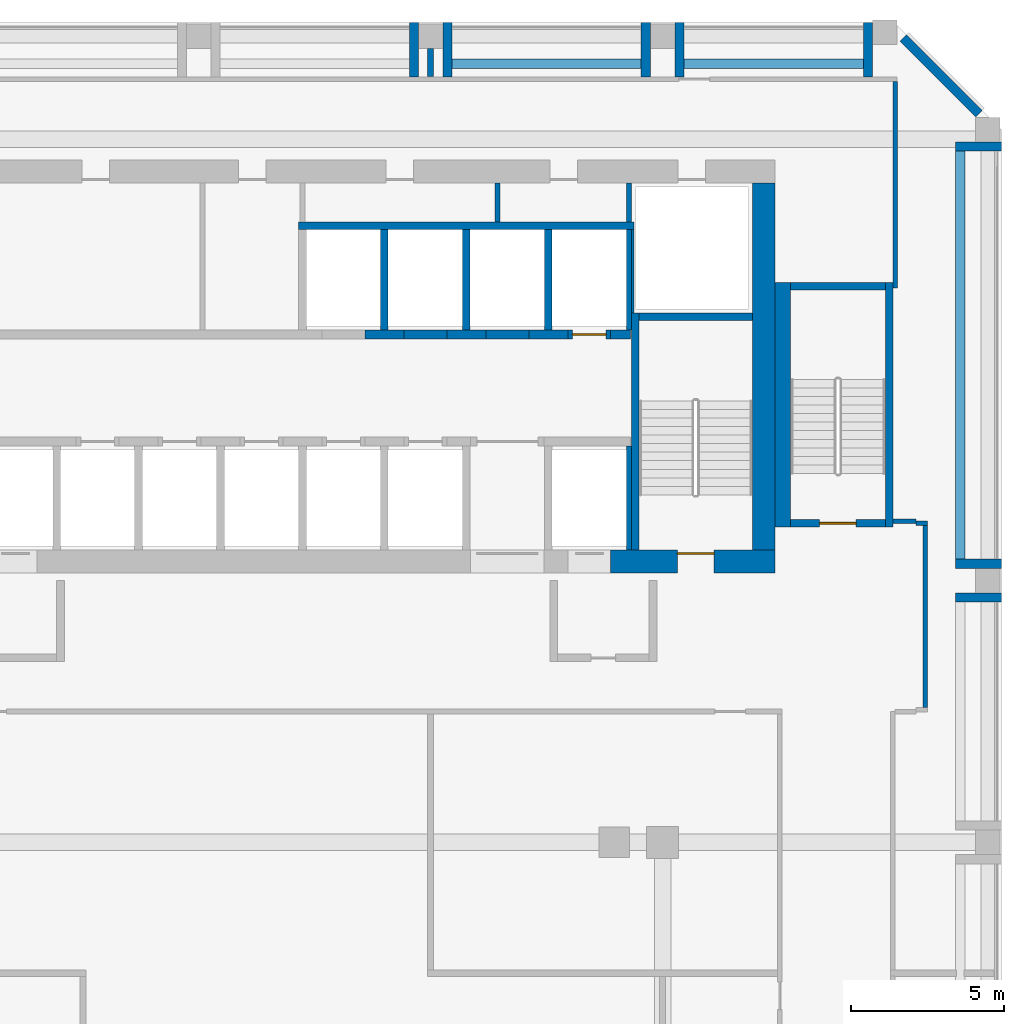
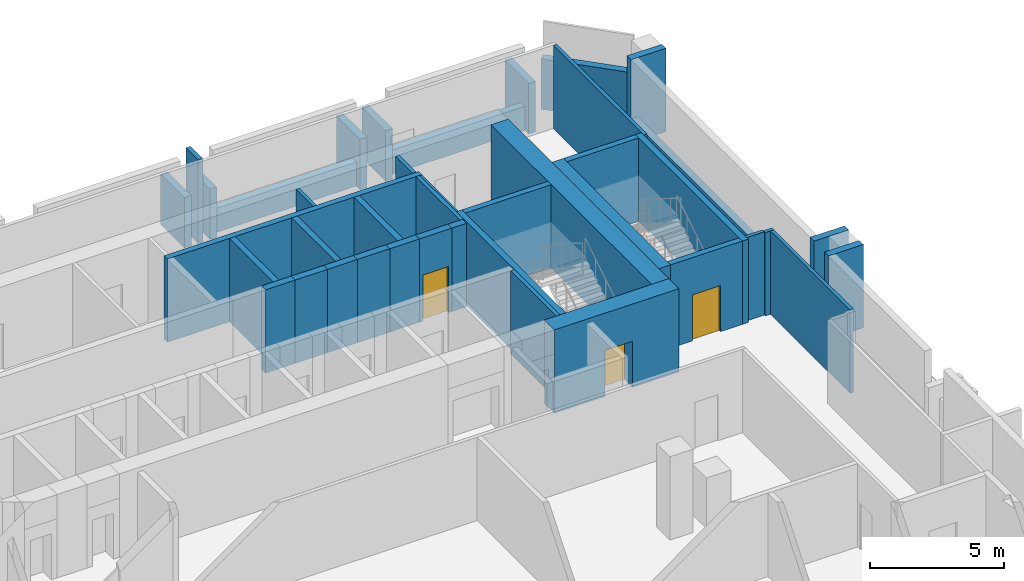
# One storey, part 5 of 9: 41 walls, 3 doors, 3 openings.
"""IFC4 building model written with IfcOpenShell, lengths in metres."""

from ifc_helpers import new_model, si_unit, direction, frame, frame_2d, origin, place, context, subcontext, project, spatial, rectangle, extrude, source, transform, mapped, material, layer, layer_set, type_object, element, fill, save


model = new_model("IFC4")

# Units and contexts
model_context = context("Model", 3, precision=1e-05, world=origin(), true_north=direction((0.0, 1.0)))
body_context = subcontext(model_context, "Body", "Model", "MODEL_VIEW")
ifc_project = project(units=[si_unit("LENGTHUNIT", "METRE"), si_unit("AREAUNIT", "SQUARE_METRE"), si_unit("VOLUMEUNIT", "CUBIC_METRE"), si_unit("PLANEANGLEUNIT", "RADIAN"), si_unit("MASSUNIT", "GRAM", prefix="KILO")], contexts=[model_context])

# Site, building, storey
site_placement = place(None, origin())
site = spatial("IfcSite", under=ifc_project, at=site_placement, CompositionType="ELEMENT")
building_placement = place(site_placement, origin())
building = spatial("IfcBuilding", under=site, at=building_placement, Name="Kilnfold Tower and Market Hall", CompositionType="ELEMENT")
storey_placement = place(building_placement, frame((0.0, 0.0, 195.699951171875)))
storey = spatial("IfcBuildingStorey", under=building, at=storey_placement, Name="L47 Plant Transfer Level", CompositionType="ELEMENT", Elevation=195.699951171875)

# Walls
ifc_material_1 = material(Name="Gypsum board on steel studs", Category="steel")
ifc_layer_1 = layer(ifc_material_1, 0.14990234375)
ifc_layer_set_1 = layer_set([ifc_layer_1], Name="Gypsum board on steel studs")
wall_type_1 = type_object("IfcWallType", Name="WALL CORRIDOR 150", PredefinedType="PARTITIONING", material=ifc_layer_set_1)
wall_1_placement = place(storey_placement, frame((21.780029296875, 17.574951171875, 0.0), z_axis=(0.0, 0.0, 1.0), x_axis=(0.0, 1.0, 0.0)))
element("IfcWall", 1, at=wall_1_placement, inside=storey, type_object=wall_type_1, Name="Partition LY29.7", PredefinedType="PARTITIONING", context=body_context, shape_type="SweptSolid", body=[
    extrude(rectangle(XDim=6.75, YDim=0.14990234375, at=frame_2d((3.375, 0.0))), origin(), (0.0, 0.0, 1.0), 3.800048828125),
])
wall_2_placement = place(storey_placement, frame((22.4560546875, 9.93603515625, 0.0), z_axis=(0.0, 0.0, 1.0), x_axis=(-1.0, 0.0, 0.0)))
element("IfcWall", 2, at=wall_2_placement, inside=storey, type_object=wall_type_1, Name="Partition LY29.8", PredefinedType="PARTITIONING", context=body_context, shape_type="SweptSolid", body=[
    extrude(rectangle(XDim=0.756103515625, YDim=0.14990234375, at=frame_2d((0.3779296875, 0.0))), origin(), (0.0, 0.0, 1.0), 3.800048828125),
])
wall_3_placement = place(storey_placement, frame((22.8310546875, 9.8720703125, 0.0), z_axis=(0.0, 0.0, 1.0), x_axis=(-1.0, 0.0, 0.0)))
element("IfcWall", 3, at=wall_3_placement, inside=storey, type_object=wall_type_1, Name="Partition LY29.9", PredefinedType="PARTITIONING", context=body_context, shape_type="SweptSolid", body=[
    extrude(rectangle(XDim=0.375, YDim=0.14990234375, at=frame_2d((0.1875, 0.0))), origin(), (0.0, 0.0, 1.0), 3.800048828125),
])
wall_4_placement = place(storey_placement, frame((22.756103515625, 3.846923828125, 0.0), z_axis=(0.0, 0.0, 1.0), x_axis=(0.0, 1.0, 0.0)))
element("IfcWall", 4, at=wall_4_placement, inside=storey, type_object=wall_type_1, Name="Partition LY29.10", PredefinedType="PARTITIONING", context=body_context, shape_type="SweptSolid", body=[
    extrude(rectangle(XDim=5.9501953125, YDim=0.14990234375, at=frame_2d((2.97509765625, 0.0))), origin(), (0.0, 0.0, 1.0), 3.800048828125),
])
ifc_material_2 = material(Name="Gypsum board on steel studs", Category="steel")
ifc_layer_2 = layer(ifc_material_2, 0.199951171875)
ifc_layer_set_2 = layer_set([ifc_layer_2], Name="Gypsum board on steel studs")
wall_type_2 = type_object("IfcWallType", Name="WALL PARTY 200", PredefinedType="PARTITIONING", material=ifc_layer_set_2)
wall_5_placement = place(storey_placement, frame((6.5830078125, 24.47607421875, 0.0), z_axis=(0.0, 0.0, 1.0), x_axis=(0.0, 1.0, 0.0)))
element("IfcWall", 5, at=wall_5_placement, inside=storey, type_object=wall_type_2, Name="Partition LY29.28", PredefinedType="PARTITIONING", context=body_context, shape_type="SweptSolid", body=[
    extrude(rectangle(XDim=0.923828125, YDim=0.199951171875, at=frame_2d((0.4619140625, 0.0))), origin(), (0.0, 0.0, 1.0), 3.800048828125),
])
ifc_material_3 = material(Name="Concrete C60", Category="concrete")
ifc_layer_3 = layer(ifc_material_3, 0.25)
ifc_layer_set_3 = layer_set([ifc_layer_3], Name="Concrete C60")
wall_type_3 = type_object("IfcWallType", Name="CORE WALL 250 C60", PredefinedType="SHEAR", material=ifc_layer_set_3)
shared_shape_1 = source(origin(), body_context, "Body", "SweptSolid", [
    extrude(rectangle(XDim=7.75, YDim=0.25, at=frame_2d((3.875, 0.0))), origin(), (0.0, 0.0, 1.0), 3.800048828125),
])
wall_6_placement = place(storey_placement, frame((13.27490234375, 9.0, 0.0), z_axis=(0.0, 0.0, 1.0), x_axis=(0.0, 1.0, 0.0)))
element("IfcWall", 6, at=wall_6_placement, inside=storey, type_object=wall_type_3, Name="Stair enclosure ST2", PredefinedType="SHEAR", context=body_context, shape_type="MappedRepresentation", body=[
    mapped(shared_shape_1, transform((0.0, 0.0, 0.0))),
])
shared_shape_2 = source(origin(), body_context, "Body", "SweptSolid", [
    extrude(rectangle(XDim=3.7001953125, YDim=0.25, at=frame_2d((1.85009765625, 0.0))), origin(), (0.0, 0.0, 1.0), 3.800048828125),
])
wall_7_placement = place(storey_placement, frame((13.39990234375, 16.625, 0.0), z_axis=(0.0, 0.0, 1.0), x_axis=(1.0, 0.0, 0.0)))
element("IfcWall", 7, at=wall_7_placement, inside=storey, type_object=wall_type_3, Name="Stair enclosure ST2", PredefinedType="SHEAR", context=body_context, shape_type="MappedRepresentation", body=[
    mapped(shared_shape_2, transform((0.0, 0.0, 0.0))),
])
shared_shape_3 = source(origin(), body_context, "Body", "SweptSolid", [
    extrude(rectangle(XDim=8.0, YDim=0.25, at=frame_2d((4.0, 0.0))), origin(), (0.0, 0.0, 1.0), 3.800048828125),
])
wall_8_placement = place(storey_placement, frame((21.574951171875, 9.75, 0.0), z_axis=(0.0, 0.0, 1.0), x_axis=(0.0, 1.0, 0.0)))
element("IfcWall", 8, at=wall_8_placement, inside=storey, type_object=wall_type_3, Name="Stair enclosure ST5", PredefinedType="SHEAR", context=body_context, shape_type="MappedRepresentation", body=[
    mapped(shared_shape_3, transform((0.0, 0.0, 0.0))),
])

# Wall, opening, door
shared_shape_4 = source(origin(), body_context, "Body", "SweptSolid", [
    extrude(rectangle(XDim=3.099853515625, YDim=0.25, at=frame_2d((1.5498046875, 0.0))), origin(), (0.0, 0.0, 1.0), 3.800048828125),
])
wall_9_placement = place(storey_placement, frame((18.35009765625, 9.875, 0.0), z_axis=(0.0, 0.0, 1.0), x_axis=(1.0, 0.0, 0.0)))
wall_9 = element("IfcWall", 9, at=wall_9_placement, inside=storey, type_object=wall_type_3, Name="Stair enclosure ST5", PredefinedType="SHEAR", context=body_context, shape_type="MappedRepresentation", body=[
    mapped(shared_shape_4, transform((0.0, 0.0, 0.0))),
])
opening_1_placement = place(wall_9_placement, frame((0.949951171875, 0.0, 0.0)))
opening_1 = element("IfcOpeningElement", 10, at=opening_1_placement, cuts=wall_9, Name="Opening SD1", PredefinedType="OPENING", context=body_context, shape_type="SweptSolid", body=[
    extrude(rectangle(XDim=1.199951171875, YDim=2.10009765625, at=frame_2d((0.60009765625, 1.050048828125))), frame((0.0, 0.135009765625, 0.0), z_axis=(0.0, -1.0, 0.0), x_axis=(1.0, 0.0, 0.0)), (0.0, 0.0, 1.0), 0.27001953125),
])
ifc_material_4 = material(Name="Steel door set with fire-resisting leaf", Category="steel")
door_type_1 = type_object("IfcDoorType", Name="STAIR FLOOR DOOR 1200X2100", OperationType="NOTDEFINED", PredefinedType="DOOR", material=ifc_material_4)
door_1_placement = place(opening_1_placement, origin())
door_1 = element("IfcDoor", 11, at=door_1_placement, inside=storey, type_object=door_type_1, Name="Exit stair ST5 door", OperationType="DOUBLE_DOOR_SINGLE_SWING", OverallHeight=2.10009765625, OverallWidth=1.199951171875, PredefinedType="DOOR", context=body_context, shape_type="SweptSolid", body=[
    extrude(rectangle(XDim=1.199951171875, YDim=2.10009765625, at=frame_2d((0.60009765625, 1.050048828125))), frame((0.0, 0.02490234375, 0.0), z_axis=(0.0, -1.0, 0.0), x_axis=(1.0, 0.0, 0.0)), (0.0, 0.0, 1.0), 0.050048828125),
])
fill(opening_1, door_1)

# Walls
wall_10_placement = place(storey_placement, frame((18.35009765625, 17.625, 0.0), z_axis=(0.0, 0.0, 1.0), x_axis=(1.0, 0.0, 0.0)))
element("IfcWall", 12, at=wall_10_placement, inside=storey, type_object=wall_type_3, Name="Stair enclosure ST5", PredefinedType="SHEAR", context=body_context, shape_type="MappedRepresentation", body=[
    mapped(shared_shape_4, transform((0.0, 0.0, 0.0))),
])
ifc_material_5 = material(Name="Concrete C60", Category="concrete")
ifc_layer_4 = layer(ifc_material_5, 0.300048828125)
ifc_layer_set_4 = layer_set([ifc_layer_4], Name="Concrete C60")
wall_type_4 = type_object("IfcWallType", Name="CORE WALL 300 C60", PredefinedType="SHEAR", material=ifc_layer_set_4)
shared_shape_5 = source(origin(), body_context, "Body", "SweptSolid", [
    extrude(rectangle(XDim=1.280029296875, YDim=0.300048828125, at=frame_2d((0.64013671875, 0.0))), origin(), (0.0, 0.0, 1.0), 3.800048828125),
])
for number, where, z_axis, x_axis, name in (
    (13, (4.429931640625, 16.050048828125, 0.0), (0.0, 0.0, 1.0), (1.0, 0.0, 0.0), "Core spine wall"),
    (14, (9.7900390625, 16.050048828125, 0.0), (0.0, 0.0, 1.0), (1.0, 0.0, 0.0), "Core spine wall"),
):
    element("IfcWall", number, at=place(storey_placement, frame(where, z_axis=z_axis, x_axis=x_axis)), inside=storey, type_object=wall_type_4, Name=name, PredefinedType="SHEAR", context=body_context, shape_type="MappedRepresentation", body=[
        mapped(shared_shape_5, transform((0.0, 0.0, 0.0))),
    ])
shared_shape_6 = source(origin(), body_context, "Body", "SweptSolid", [
    extrude(rectangle(XDim=1.27978515625, YDim=0.300048828125, at=frame_2d((0.639892578125, 0.0))), origin(), (0.0, 0.0, 1.0), 3.800048828125),
])
wall_11_placement = place(storey_placement, frame((7.110107421875, 16.050048828125, 0.0), z_axis=(0.0, 0.0, 1.0), x_axis=(1.0, 0.0, 0.0)))
element("IfcWall", 15, at=wall_11_placement, inside=storey, type_object=wall_type_4, Name="Core spine wall", PredefinedType="SHEAR", context=body_context, shape_type="MappedRepresentation", body=[
    mapped(shared_shape_6, transform((0.0, 0.0, 0.0))),
])
shared_shape_7 = source(origin(), body_context, "Body", "SweptSolid", [
    extrude(rectangle(XDim=0.64013671875, YDim=0.300048828125, at=frame_2d((0.320068359375, 0.0))), origin(), (0.0, 0.0, 1.0), 3.800048828125),
])
wall_12_placement = place(storey_placement, frame((12.469970703125, 16.050048828125, 0.0), z_axis=(0.0, 0.0, 1.0), x_axis=(1.0, 0.0, 0.0)))
element("IfcWall", 16, at=wall_12_placement, inside=storey, type_object=wall_type_4, Name="Core spine wall", PredefinedType="SHEAR", context=body_context, shape_type="MappedRepresentation", body=[
    mapped(shared_shape_7, transform((0.0, 0.0, 0.0))),
])

# Wall, opening, door
ifc_material_6 = material(Name="Concrete C60", Category="concrete")
ifc_layer_5 = layer(ifc_material_6, 0.75)
ifc_layer_set_5 = layer_set([ifc_layer_5], Name="Concrete C60")
wall_type_5 = type_object("IfcWallType", Name="CORE WALL 750 C60", PredefinedType="SHEAR", material=ifc_layer_set_5)
shared_shape_8 = source(origin(), body_context, "Body", "SweptSolid", [
    extrude(rectangle(XDim=5.380126953125, YDim=0.75, at=frame_2d((2.68994140625, 0.0))), origin(), (0.0, 0.0, 1.0), 3.800048828125),
])
wall_13_placement = place(storey_placement, frame((12.469970703125, 8.625, 0.0), z_axis=(0.0, 0.0, 1.0), x_axis=(1.0, 0.0, 0.0)))
wall_13 = element("IfcWall", 17, at=wall_13_placement, inside=storey, type_object=wall_type_5, Name="Core outer wall south", PredefinedType="SHEAR", context=body_context, shape_type="MappedRepresentation", body=[
    mapped(shared_shape_8, transform((0.0, 0.0, 0.0))),
])
opening_2_placement = place(wall_13_placement, frame((2.179931640625, 0.0, 0.0)))
opening_2 = element("IfcOpeningElement", 18, at=opening_2_placement, cuts=wall_13, Name="Opening SD1", PredefinedType="OPENING", context=body_context, shape_type="SweptSolid", body=[
    extrude(rectangle(XDim=1.199951171875, YDim=2.10009765625, at=frame_2d((0.60009765625, 1.050048828125))), frame((0.0, 0.385009765625, 0.0), z_axis=(0.0, -1.0, 0.0), x_axis=(1.0, 0.0, 0.0)), (0.0, 0.0, 1.0), 0.77001953125),
])
door_2_placement = place(opening_2_placement, origin())
door_2 = element("IfcDoor", 19, at=door_2_placement, inside=storey, type_object=door_type_1, Name="Exit stair ST2 door", OperationType="DOUBLE_DOOR_SINGLE_SWING", OverallHeight=2.10009765625, OverallWidth=1.199951171875, PredefinedType="DOOR", context=body_context, shape_type="SweptSolid", body=[
    extrude(rectangle(XDim=1.199951171875, YDim=2.10009765625, at=frame_2d((0.60009765625, 1.050048828125))), frame((0.0, 0.27978515625, 0.0), z_axis=(0.0, -1.0, 0.0), x_axis=(1.0, 0.0, 0.0)), (0.0, 0.0, 1.0), 0.050048828125),
])
fill(opening_2, door_2)

# Walls
shared_shape_9 = source(origin(), body_context, "Body", "SweptSolid", [
    extrude(rectangle(XDim=12.0, YDim=0.75, at=frame_2d((6.0, 0.0))), origin(), (0.0, 0.0, 1.0), 3.800048828125),
])
wall_14_placement = place(storey_placement, frame((17.47509765625, 9.0, 0.0), z_axis=(0.0, 0.0, 1.0), x_axis=(0.0, 1.0, 0.0)))
element("IfcWall", 20, at=wall_14_placement, inside=storey, type_object=wall_type_5, Name="Core outer wall east", PredefinedType="SHEAR", context=body_context, shape_type="MappedRepresentation", body=[
    mapped(shared_shape_9, transform((0.0, 0.0, 0.0))),
])
ifc_material_7 = material(Name="Concrete C60", Category="concrete")
ifc_layer_6 = layer(ifc_material_7, 0.5)
ifc_layer_set_6 = layer_set([ifc_layer_6], Name="Concrete C60")
wall_type_6 = type_object("IfcWallType", Name="CORE WALL 500 C60", PredefinedType="SHEAR", material=ifc_layer_set_6)
shared_shape_10 = source(origin(), body_context, "Body", "SweptSolid", [
    extrude(rectangle(XDim=8.0, YDim=0.5, at=frame_2d((4.0, 0.0))), origin(), (0.0, 0.0, 1.0), 3.800048828125),
])
wall_15_placement = place(storey_placement, frame((18.10009765625, 9.75, 0.0), z_axis=(0.0, 0.0, 1.0), x_axis=(0.0, 1.0, 0.0)))
element("IfcWall", 21, at=wall_15_placement, inside=storey, type_object=wall_type_6, Name="Stair enclosure ST5", PredefinedType="SHEAR", context=body_context, shape_type="MappedRepresentation", body=[
    mapped(shared_shape_10, transform((0.0, 0.0, 0.0))),
])
ifc_material_8 = material(Name="Precast concrete C50/60", Category="concrete")
ifc_layer_7 = layer(ifc_material_8, 0.300048828125)
ifc_layer_set_7 = layer_set([ifc_layer_7], Name="Precast concrete C50/60")
wall_type_7 = type_object("IfcWallType", Name="PRECAST WALL 300", PredefinedType="SOLIDWALL", material=ifc_layer_set_7)
shared_shape_11 = source(origin(), body_context, "Body", "SweptSolid", [
    extrude(rectangle(XDim=1.5, YDim=0.300048828125, at=frame_2d((0.75, 0.0))), origin(), (0.0, 0.0, 1.0), 3.800048828125),
])
for number, where, z_axis, x_axis, name in (
    (22, (25.25, 7.449951171875, 0.0), (0.0, 0.0, 1.0), (-1.0, 0.0, 0.0), "Plant wall L47 E"),
    (23, (25.25, 8.550048828125, 0.0), (0.0, 0.0, 1.0), (-1.0, 0.0, 0.0), "Plant wall L47 E"),
    (24, (25.25, 22.199951171875, 0.0), (0.0, 0.0, 1.0), (-1.0, 0.0, 0.0), "Plant wall L47 E"),
):
    element("IfcWall", number, at=place(storey_placement, frame(where, z_axis=z_axis, x_axis=x_axis)), inside=storey, type_object=wall_type_7, Name=name, PredefinedType="SOLIDWALL", context=body_context, shape_type="MappedRepresentation", body=[
        mapped(shared_shape_11, transform((0.0, 0.0, 0.0))),
    ])
shared_shape_12 = source(origin(), body_context, "Body", "SweptSolid", [
    extrude(rectangle(XDim=3.500244140625, YDim=0.300048828125, at=frame_2d((1.75, 0.0))), origin(), (0.0, 0.0, 1.0), 2.300048828125),
])
wall_16_placement = place(storey_placement, frame((24.518798828125, 23.268798828125, 0.0), z_axis=(0.0, 0.0, 1.0), x_axis=(-0.70707190453, 0.707141656123, 0.0)))
element("IfcWall", 25, at=wall_16_placement, inside=storey, type_object=wall_type_7, Name="Plant wall L47 NE", PredefinedType="SOLIDWALL", context=body_context, shape_type="MappedRepresentation", body=[
    mapped(shared_shape_12, transform((0.0, 0.0, 0.0))),
])
shared_shape_13 = source(origin(), body_context, "Body", "SweptSolid", [
    extrude(rectangle(XDim=6.18359375, YDim=0.300048828125, at=frame_2d((3.091796875, 0.0))), origin(), (0.0, 0.0, 1.0), 1.10009765625),
])
wall_17_placement = place(storey_placement, frame((13.466796875, 24.89990234375, 0.0), z_axis=(0.0, 0.0, 1.0), x_axis=(-1.0, 0.0, 0.0)))
element("IfcWall", 26, at=wall_17_placement, inside=storey, type_object=wall_type_7, Name="Knee wall L47 N", PredefinedType="SOLIDWALL", context=body_context, shape_type="MappedRepresentation", body=[
    mapped(shared_shape_13, transform((0.0, 0.0, 0.0))),
])
shared_shape_14 = source(origin(), body_context, "Body", "SweptSolid", [
    extrude(rectangle(XDim=13.35009765625, YDim=0.300048828125, at=frame_2d((6.675048828125, 0.0))), origin(), (0.0, 0.0, 1.0), 1.10009765625),
])
wall_18_placement = place(storey_placement, frame((23.89990234375, 8.699951171875, 0.0), z_axis=(0.0, 0.0, 1.0), x_axis=(0.0, 1.0, 0.0)))
element("IfcWall", 27, at=wall_18_placement, inside=storey, type_object=wall_type_7, Name="Knee wall L47 E", PredefinedType="SOLIDWALL", context=body_context, shape_type="MappedRepresentation", body=[
    mapped(shared_shape_14, transform((0.0, 0.0, 0.0))),
])
shared_shape_15 = source(origin(), body_context, "Body", "SweptSolid", [
    extrude(rectangle(XDim=5.864990234375, YDim=0.300048828125, at=frame_2d((2.9326171875, 0.0))), origin(), (0.0, 0.0, 1.0), 1.10009765625),
])
wall_19_placement = place(storey_placement, frame((20.731689453125, 24.89990234375, 0.0), z_axis=(0.0, 0.0, 1.0), x_axis=(-1.0, 0.0, 0.0)))
element("IfcWall", 28, at=wall_19_placement, inside=storey, type_object=wall_type_7, Name="Knee wall L47 N", PredefinedType="SOLIDWALL", context=body_context, shape_type="MappedRepresentation", body=[
    mapped(shared_shape_15, transform((0.0, 0.0, 0.0))),
])
shared_shape_16 = source(origin(), body_context, "Body", "SweptSolid", [
    extrude(rectangle(XDim=1.77490234375, YDim=0.300048828125, at=frame_2d((0.887451171875, 0.0))), origin(), (0.0, 0.0, 1.0), 2.300048828125),
])
for number, where, z_axis, x_axis, name in (
    (29, (20.8818359375, 26.25, 0.0), (0.0, 0.0, 1.0), (0.0, -1.0, 0.0), "Plant wall L47 N"),
    (30, (14.716796875, 26.25, 0.0), (0.0, 0.0, 1.0), (0.0, -1.0, 0.0), "Plant wall L47 N"),
    (31, (13.61669921875, 26.25, 0.0), (0.0, 0.0, 1.0), (0.0, -1.0, 0.0), "Plant wall L47 N"),
    (32, (7.13330078125, 26.25, 0.0), (0.0, 0.0, 1.0), (0.0, -1.0, 0.0), "Plant wall L47 N"),
    (33, (6.033203125, 26.25, 0.0), (0.0, 0.0, 1.0), (0.0, -1.0, 0.0), "Plant wall L47 N"),
):
    element("IfcWall", number, at=place(storey_placement, frame(where, z_axis=z_axis, x_axis=x_axis)), inside=storey, type_object=wall_type_7, Name=name, PredefinedType="SOLIDWALL", context=body_context, shape_type="MappedRepresentation", body=[
        mapped(shared_shape_16, transform((0.0, 0.0, 0.0))),
    ])

# Wall, opening, door
ifc_material_9 = material(Name="Gypsum shaft wall system")
ifc_layer_8 = layer(ifc_material_9, 0.300048828125)
ifc_layer_set_8 = layer_set([ifc_layer_8], Name="Gypsum shaft wall system")
wall_type_8 = type_object("IfcWallType", Name="SHAFT WALL 300", PredefinedType="PARTITIONING", material=ifc_layer_set_8)
shared_shape_17 = source(origin(), body_context, "Body", "SweptSolid", [
    extrude(rectangle(XDim=1.39990234375, YDim=0.300048828125, at=frame_2d((0.699951171875, 0.0))), origin(), (0.0, 0.0, 1.0), 3.800048828125),
])
wall_20_placement = place(storey_placement, frame((11.070068359375, 16.050048828125, 0.0), z_axis=(0.0, 0.0, 1.0), x_axis=(1.0, 0.0, 0.0)))
wall_20 = element("IfcWall", 34, at=wall_20_placement, inside=storey, type_object=wall_type_8, Name="Lift shaft front wall", PredefinedType="PARTITIONING", context=body_context, shape_type="MappedRepresentation", body=[
    mapped(shared_shape_17, transform((0.0, 0.0, 0.0))),
])
opening_3_placement = place(wall_20_placement, frame((0.14990234375, 0.0, 0.0)))
opening_3 = element("IfcOpeningElement", 35, at=opening_3_placement, cuts=wall_20, Name="Opening LD2", PredefinedType="OPENING", context=body_context, shape_type="SweptSolid", body=[
    extrude(rectangle(XDim=1.10009765625, YDim=2.10009765625, at=frame_2d((0.550048828125, 1.050048828125))), frame((0.0, 0.16015625, 0.0), z_axis=(0.0, -1.0, 0.0), x_axis=(1.0, 0.0, 0.0)), (0.0, 0.0, 1.0), 0.320068359375),
])
ifc_material_10 = material(Name="Steel door set with fire-resisting leaf", Category="steel")
door_type_2 = type_object("IfcDoorType", Name="LANDING DOOR 1100X2100", OperationType="NOTDEFINED", PredefinedType="DOOR", material=ifc_material_10)
door_3_placement = place(opening_3_placement, origin())
door_3 = element("IfcDoor", 36, at=door_3_placement, inside=storey, type_object=door_type_2, Name="Landing door MR6", OperationType="DOUBLE_DOOR_SLIDING", OverallHeight=2.10009765625, OverallWidth=1.10009765625, PredefinedType="DOOR", context=body_context, shape_type="SweptSolid", body=[
    extrude(rectangle(XDim=1.10009765625, YDim=2.10009765625, at=frame_2d((0.550048828125, 1.050048828125))), frame((0.0, 0.02490234375, 0.0), z_axis=(0.0, -1.0, 0.0), x_axis=(1.0, 0.0, 0.0)), (0.0, 0.0, 1.0), 0.050048828125),
])
fill(opening_3, door_3)

# Walls
shared_shape_18 = source(origin(), body_context, "Body", "SweptSolid", [
    extrude(rectangle(XDim=1.400146484375, YDim=0.300048828125, at=frame_2d((0.7001953125, 0.0))), origin(), (0.0, 0.0, 1.0), 3.800048828125),
])
for number, where, z_axis, x_axis, name in (
    (37, (5.7099609375, 16.050048828125, 0.0), (0.0, 0.0, 1.0), (1.0, 0.0, 0.0), "Lift shaft front wall"),
    (38, (8.389892578125, 16.050048828125, 0.0), (0.0, 0.0, 1.0), (1.0, 0.0, 0.0), "Lift shaft front wall"),
):
    element("IfcWall", number, at=place(storey_placement, frame(where, z_axis=z_axis, x_axis=x_axis)), inside=storey, type_object=wall_type_8, Name=name, PredefinedType="PARTITIONING", context=body_context, shape_type="MappedRepresentation", body=[
        mapped(shared_shape_18, transform((0.0, 0.0, 0.0))),
    ])
ifc_material_11 = material(Name="Gypsum shaft wall system")
ifc_layer_9 = layer(ifc_material_11, 0.1650390625)
ifc_layer_set_9 = layer_set([ifc_layer_9], Name="Gypsum shaft wall system")
wall_type_9 = type_object("IfcWallType", Name="SHAFT WALL 165", PredefinedType="PARTITIONING", material=ifc_layer_set_9)
shared_shape_19 = source(origin(), body_context, "Body", "SweptSolid", [
    extrude(rectangle(XDim=3.275146484375, YDim=0.1650390625, at=frame_2d((1.6376953125, 0.0))), origin(), (0.0, 0.0, 1.0), 3.800048828125),
])
wall_21_placement = place(storey_placement, frame((13.0673828125, 16.199951171875, 0.0), z_axis=(0.0, 0.0, 1.0), x_axis=(0.0, 1.0, 0.0)))
element("IfcWall", 39, at=wall_21_placement, inside=storey, type_object=wall_type_9, Name="Lift shaft wall", PredefinedType="PARTITIONING", context=body_context, shape_type="MappedRepresentation", body=[
    mapped(shared_shape_19, transform((0.0, 0.0, 0.0))),
])
shared_shape_20 = source(origin(), body_context, "Body", "SweptSolid", [
    extrude(rectangle(XDim=1.27490234375, YDim=0.1650390625, at=frame_2d((0.637451171875, 0.0))), origin(), (0.0, 0.0, 1.0), 3.800048828125),
])
wall_22_placement = place(storey_placement, frame((13.0673828125, 19.72509765625, 0.0), z_axis=(0.0, 0.0, 1.0), x_axis=(0.0, 1.0, 0.0)))
element("IfcWall", 40, at=wall_22_placement, inside=storey, type_object=wall_type_9, Name="Lift shaft wall", PredefinedType="PARTITIONING", context=body_context, shape_type="MappedRepresentation", body=[
    mapped(shared_shape_20, transform((0.0, 0.0, 0.0))),
])
ifc_material_12 = material(Name="Gypsum shaft wall system")
ifc_layer_10 = layer(ifc_material_12, 0.25)
ifc_layer_set_10 = layer_set([ifc_layer_10], Name="Gypsum shaft wall system")
wall_type_10 = type_object("IfcWallType", Name="SHAFT WALL 250", PredefinedType="PARTITIONING", material=ifc_layer_set_10)
shared_shape_21 = source(origin(), body_context, "Body", "SweptSolid", [
    extrude(rectangle(XDim=3.275146484375, YDim=0.25, at=frame_2d((1.6376953125, 0.0))), origin(), (0.0, 0.0, 1.0), 3.800048828125),
])
for number, where, z_axis, x_axis, name in (
    (41, (10.429931640625, 16.199951171875, 0.0), (0.0, 0.0, 1.0), (0.0, 1.0, 0.0), "Lift shaft wall"),
    (42, (5.070068359375, 16.199951171875, 0.0), (0.0, 0.0, 1.0), (0.0, 1.0, 0.0), "Lift shaft wall"),
    (43, (7.75, 16.199951171875, 0.0), (0.0, 0.0, 1.0), (0.0, 1.0, 0.0), "Lift shaft wall"),
):
    element("IfcWall", number, at=place(storey_placement, frame(where, z_axis=z_axis, x_axis=x_axis)), inside=storey, type_object=wall_type_10, Name=name, PredefinedType="PARTITIONING", context=body_context, shape_type="MappedRepresentation", body=[
        mapped(shared_shape_21, transform((0.0, 0.0, 0.0))),
    ])
ifc_material_13 = material(Name="Gypsum shaft wall system")
ifc_layer_11 = layer(ifc_material_13, 0.0849609375)
ifc_layer_set_11 = layer_set([ifc_layer_11], Name="Gypsum shaft wall system")
wall_type_11 = type_object("IfcWallType", Name="SHAFT WALL 85", PredefinedType="PARTITIONING", material=ifc_layer_set_11)
shared_shape_22 = source(origin(), body_context, "Body", "SweptSolid", [
    extrude(rectangle(XDim=2.72509765625, YDim=0.0849609375, at=frame_2d((1.362548828125, 0.0))), origin(), (0.0, 0.0, 1.0), 3.800048828125),
])
wall_23_placement = place(storey_placement, frame((13.1923828125, 16.75, 0.0), z_axis=(0.0, 0.0, 1.0), x_axis=(0.0, 1.0, 0.0)))
element("IfcWall", 44, at=wall_23_placement, inside=storey, type_object=wall_type_11, Name="Lift shaft wall", PredefinedType="PARTITIONING", context=body_context, shape_type="MappedRepresentation", body=[
    mapped(shared_shape_22, transform((0.0, 0.0, 0.0))),
])
shared_shape_23 = source(origin(), body_context, "Body", "SweptSolid", [
    extrude(rectangle(XDim=3.39990234375, YDim=0.1650390625, at=frame_2d((1.699951171875, 0.0))), origin(), (0.0, 0.0, 1.0), 3.800048828125),
])
wall_24_placement = place(storey_placement, frame((13.0673828125, 9.0, 0.0), z_axis=(0.0, 0.0, 1.0), x_axis=(0.0, 1.0, 0.0)))
element("IfcWall", 45, at=wall_24_placement, inside=storey, type_object=wall_type_9, Name="Lift shaft wall", PredefinedType="PARTITIONING", context=body_context, shape_type="MappedRepresentation", body=[
    mapped(shared_shape_23, transform((0.0, 0.0, 0.0))),
])
ifc_material_14 = material(Name="Gypsum shaft wall system")
ifc_layer_12 = layer(ifc_material_14, 0.14990234375)
ifc_layer_set_12 = layer_set([ifc_layer_12], Name="Gypsum shaft wall system")
wall_type_12 = type_object("IfcWallType", Name="ROOM WALL 150", PredefinedType="PARTITIONING", material=ifc_layer_set_12)
shared_shape_24 = source(origin(), body_context, "Body", "SweptSolid", [
    extrude(rectangle(XDim=1.27490234375, YDim=0.14990234375, at=frame_2d((0.637451171875, 0.0))), origin(), (0.0, 0.0, 1.0), 3.800048828125),
])
wall_25_placement = place(storey_placement, frame((8.768310546875, 19.72509765625, 0.0), z_axis=(0.0, 0.0, 1.0), x_axis=(0.0, 1.0, 0.0)))
element("IfcWall", 46, at=wall_25_placement, inside=storey, type_object=wall_type_12, Name="Core room wall", PredefinedType="PARTITIONING", context=body_context, shape_type="MappedRepresentation", body=[
    mapped(shared_shape_24, transform((0.0, 0.0, 0.0))),
])
shared_shape_25 = source(origin(), body_context, "Body", "SweptSolid", [
    extrude(rectangle(XDim=10.97021484375, YDim=0.25, at=frame_2d((5.485107421875, 0.0))), origin(), (0.0, 0.0, 1.0), 3.800048828125),
])
wall_26_placement = place(storey_placement, frame((2.264892578125, 19.60009765625, 0.0), z_axis=(0.0, 0.0, 1.0), x_axis=(1.0, 0.0, 0.0)))
element("IfcWall", 47, at=wall_26_placement, inside=storey, type_object=wall_type_10, Name="Lift shaft wall", PredefinedType="PARTITIONING", context=body_context, shape_type="MappedRepresentation", body=[
    mapped(shared_shape_25, transform((0.0, 0.0, 0.0))),
])

save(model, "model.ifc")
